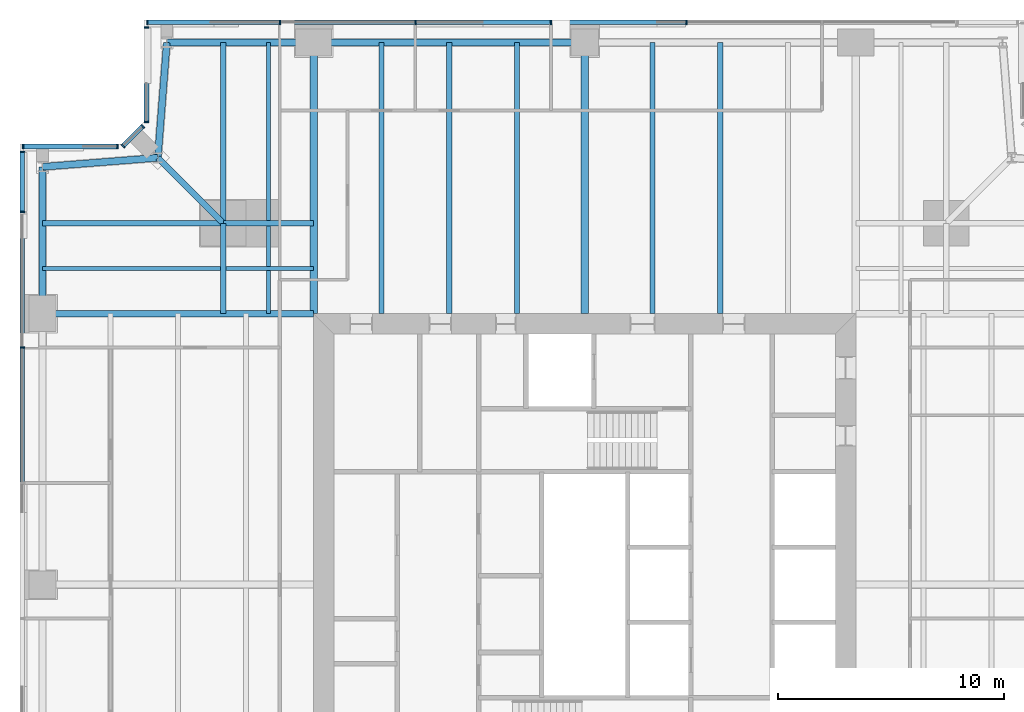
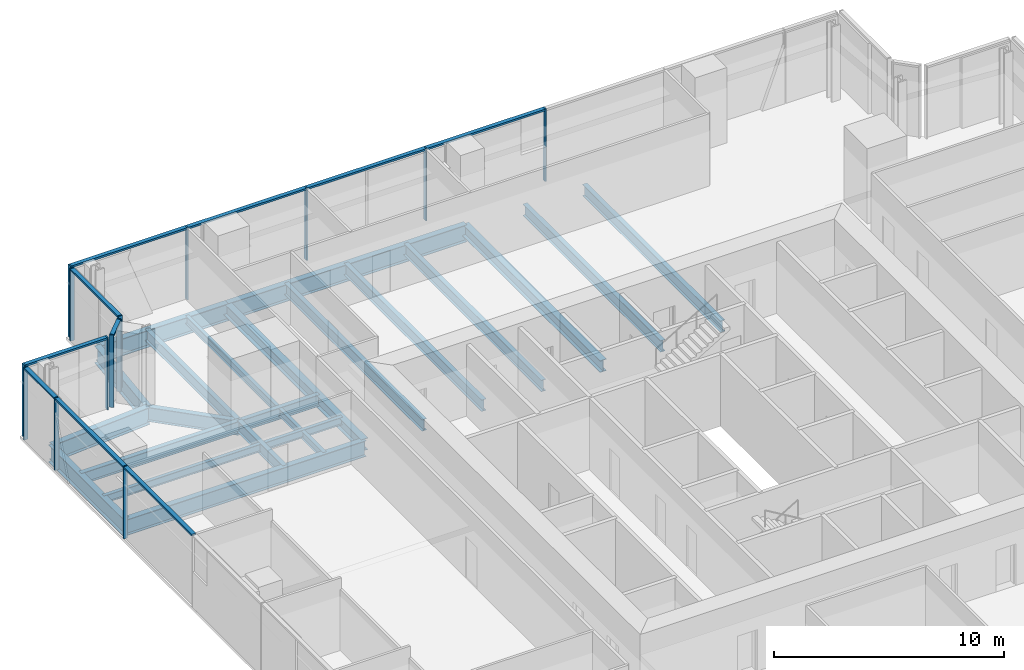
# One storey, part 6 of 16: 24 members, 23 beams, 5 elements without a shape of their own.
"""IFC4 building model written with IfcOpenShell, lengths in metres."""

from ifc_helpers import new_model, si_unit, direction, frame, origin, origin_2d, place, context, subcontext, project, spatial, rectangle, i_section, extrude, material, material_profile, profile_set, type_object, element, aggregate, save


model = new_model("IFC4")

# Units and contexts
model_context = context("Model", 3, precision=1e-05, world=origin(), true_north=direction((0.0, 1.0)))
body_context = subcontext(model_context, "Body", "Model", "MODEL_VIEW")
ifc_project = project(units=[si_unit("LENGTHUNIT", "METRE"), si_unit("AREAUNIT", "SQUARE_METRE"), si_unit("VOLUMEUNIT", "CUBIC_METRE"), si_unit("PLANEANGLEUNIT", "RADIAN"), si_unit("MASSUNIT", "GRAM", prefix="KILO")], contexts=[model_context])

# Site, building, storey
site_placement = place(None, origin())
site = spatial("IfcSite", under=ifc_project, at=site_placement, CompositionType="ELEMENT")
building_placement = place(site_placement, origin())
building = spatial("IfcBuilding", under=site, at=building_placement, Name="Fenwick Lantern Interchange", CompositionType="ELEMENT")
storey_placement = place(building_placement, frame((0.0, 0.0, 181.800048828125)))
storey = spatial("IfcBuildingStorey", under=building, at=storey_placement, Name="L42", CompositionType="ELEMENT", Elevation=181.800048828125)

# Beams
ifc_material_1 = material(Name="Steel ASTM A992 Grade 50", Category="steel")
ifc_material_profile_1 = material_profile(ifc_material_1, i_section(OverallWidth=0.3046875, OverallDepth=0.911865234375, WebThickness=0.015869140625, FlangeThickness=0.02392578125, at=origin_2d()), Name="W36X150")
ifc_profile_set_1 = profile_set([ifc_material_profile_1], Name="Steel ASTM A992 Grade 50")
beam_type_1 = type_object("IfcBeamType", Name="EDGE BEAM W36X150", PredefinedType="SPANDREL", material=ifc_profile_set_1)
beam_1_placement = place(storey_placement, frame((25.0, 49.0, -0.60595703125), z_axis=(-1.0, 0.0, 0.0), x_axis=(0.0, -1.0, 0.0)))
element("IfcBeam", 1, at=beam_1_placement, inside=storey, type_object=beam_type_1, Name="L42/FR/N/EB3", PredefinedType="SPANDREL", context=body_context, shape_type="SweptSolid", body=[
    extrude(i_section(OverallWidth=0.3046875, OverallDepth=0.911865234375, WebThickness=0.015869140625, FlangeThickness=0.02392578125, at=origin_2d()), origin(), (0.0, 0.0, 1.0), 12.0),
])
beam_2_placement = place(storey_placement, frame((13.0, 49.0, -0.60595703125), z_axis=(-1.0, 0.0, 0.0), x_axis=(0.0, -1.0, 0.0)))
element("IfcBeam", 2, at=beam_2_placement, inside=storey, type_object=beam_type_1, Name="L42/FR/N/EB4", PredefinedType="SPANDREL", context=body_context, shape_type="SweptSolid", body=[
    extrude(i_section(OverallWidth=0.3046875, OverallDepth=0.911865234375, WebThickness=0.015869140625, FlangeThickness=0.02392578125, at=origin_2d()), origin(), (0.0, 0.0, 1.0), 6.5),
])
for number, where, z_axis, x_axis, name in (
    (3, (6.5, 49.0, -0.60595703125), (-0.078170784639, -0.99693998236, 0.0), (0.99693998236, -0.078170784639, 0.0), "L42/FR/N/EBR1"),
    (4, (6.10009765625, 43.89990234375, -0.60595703125), (-0.99693998236, -0.078170784639, 0.0), (0.078170784639, -0.99693998236, 0.0), "L42/FR/N/EBR2"),
):
    element("IfcBeam", number, at=place(storey_placement, frame(where, z_axis=z_axis, x_axis=x_axis)), inside=storey, type_object=beam_type_1, Name=name, PredefinedType="SPANDREL", context=body_context, shape_type="SweptSolid", body=[
        extrude(i_section(OverallWidth=0.3046875, OverallDepth=0.911865234375, WebThickness=0.015869140625, FlangeThickness=0.02392578125, at=origin_2d()), origin(), (0.0, 0.0, 1.0), 5.11572265625),
    ])
beam_3_placement = place(storey_placement, frame((1.0, 43.5, -0.60595703125), z_axis=(0.0, -1.0, 0.0), x_axis=(1.0, 0.0, 0.0)))
element("IfcBeam", 5, at=beam_3_placement, inside=storey, type_object=beam_type_1, Name="L42/FR/W/EB1", PredefinedType="SPANDREL", context=body_context, shape_type="SweptSolid", body=[
    extrude(i_section(OverallWidth=0.3046875, OverallDepth=0.911865234375, WebThickness=0.015869140625, FlangeThickness=0.02392578125, at=origin_2d()), origin(), (0.0, 0.0, 1.0), 6.5),
])
ifc_material_profile_2 = material_profile(ifc_material_1, i_section(OverallWidth=0.22900390625, OverallDepth=0.612060546875, WebThickness=0.011962890625, FlangeThickness=0.01953125, at=origin_2d()), Name="W24X84")
ifc_profile_set_2 = profile_set([ifc_material_profile_2], Name="Steel ASTM A992 Grade 50")
beam_type_2 = type_object("IfcBeamType", Name="FLOOR BEAM W24X84", PredefinedType="BEAM", material=ifc_profile_set_2)
for number, where, z_axis, x_axis, name in (
    (6, (31.0, 49.0, -0.4560546875), (0.0, -1.0, 0.0), (1.0, 0.0, 0.0), "L42/FR/N/R03"),
    (7, (28.0, 49.0, -0.4560546875), (0.0, -1.0, 0.0), (1.0, 0.0, 0.0), "L42/FR/N/R04"),
    (8, (22.0, 49.0, -0.4560546875), (0.0, -1.0, 0.0), (1.0, 0.0, 0.0), "L42/FR/N/R06"),
    (9, (19.0, 49.0, -0.4560546875), (0.0, -1.0, 0.0), (1.0, 0.0, 0.0), "L42/FR/N/R07"),
    (10, (16.0, 49.0, -0.4560546875), (0.0, -1.0, 0.0), (1.0, 0.0, 0.0), "L42/FR/N/R08"),
):
    element("IfcBeam", number, at=place(storey_placement, frame(where, z_axis=z_axis, x_axis=x_axis)), inside=storey, type_object=beam_type_2, Name=name, PredefinedType="BEAM", context=body_context, shape_type="SweptSolid", body=[
        extrude(i_section(OverallWidth=0.22900390625, OverallDepth=0.612060546875, WebThickness=0.011962890625, FlangeThickness=0.01953125, at=origin_2d()), origin(), (0.0, 0.0, 1.0), 12.0),
    ])
ifc_material_profile_3 = material_profile(ifc_material_1, i_section(OverallWidth=0.177734375, OverallDepth=0.406494140625, WebThickness=0.0078125, FlangeThickness=0.012939453125, at=origin_2d()), Name="W16X40")
ifc_profile_set_3 = profile_set([ifc_material_profile_3], Name="Steel ASTM A992 Grade 50")
beam_type_3 = type_object("IfcBeamType", Name="INFILL BEAM W16X40", PredefinedType="JOIST", material=ifc_profile_set_3)
beam_4_placement = place(storey_placement, frame((1.0, 39.0, -0.353271484375), z_axis=(1.0, 0.0, 0.0), x_axis=(0.0, 1.0, 0.0)))
element("IfcBeam", 11, at=beam_4_placement, inside=storey, type_object=beam_type_3, Name="L42/FR/W/J1", PredefinedType="JOIST", context=body_context, shape_type="SweptSolid", body=[
    extrude(i_section(OverallWidth=0.177734375, OverallDepth=0.406494140625, WebThickness=0.0078125, FlangeThickness=0.012939453125, at=origin_2d()), origin(), (0.0, 0.0, 1.0), 7.885498046875),
])
beam_5_placement = place(storey_placement, frame((9.114501953125, 39.0, -0.353271484375), z_axis=(1.0, 0.0, 0.0), x_axis=(0.0, 1.0, 0.0)))
element("IfcBeam", 12, at=beam_5_placement, inside=storey, type_object=beam_type_3, Name="L42/FR/W/J2", PredefinedType="JOIST", context=body_context, shape_type="SweptSolid", body=[
    extrude(i_section(OverallWidth=0.177734375, OverallDepth=0.406494140625, WebThickness=0.0078125, FlangeThickness=0.012939453125, at=origin_2d()), origin(), (0.0, 0.0, 1.0), 3.885498046875),
])
beam_6_placement = place(storey_placement, frame((11.0, 49.0, -0.353271484375), z_axis=(0.0, -1.0, 0.0), x_axis=(1.0, 0.0, 0.0)))
element("IfcBeam", 13, at=beam_6_placement, inside=storey, type_object=beam_type_3, Name="L42/FR/W/J3", PredefinedType="JOIST", context=body_context, shape_type="SweptSolid", body=[
    extrude(i_section(OverallWidth=0.177734375, OverallDepth=0.406494140625, WebThickness=0.0078125, FlangeThickness=0.012939453125, at=origin_2d()), origin(), (0.0, 0.0, 1.0), 7.885498046875),
])
beam_7_placement = place(storey_placement, frame((11.0, 40.885498046875, -0.353271484375), z_axis=(0.0, -1.0, 0.0), x_axis=(1.0, 0.0, 0.0)))
element("IfcBeam", 14, at=beam_7_placement, inside=storey, type_object=beam_type_3, Name="L42/FR/W/J4", PredefinedType="JOIST", context=body_context, shape_type="SweptSolid", body=[
    extrude(i_section(OverallWidth=0.177734375, OverallDepth=0.406494140625, WebThickness=0.0078125, FlangeThickness=0.012939453125, at=origin_2d()), origin(), (0.0, 0.0, 1.0), 1.796630859375),
])
beam_8_placement = place(storey_placement, frame((11.0, 38.9111328125, -0.353271484375), z_axis=(0.0, -1.0, 0.0), x_axis=(1.0, 0.0, 0.0)))
element("IfcBeam", 15, at=beam_8_placement, inside=storey, type_object=beam_type_3, Name="L42/FR/W/J5", PredefinedType="JOIST", context=body_context, shape_type="SweptSolid", body=[
    extrude(i_section(OverallWidth=0.177734375, OverallDepth=0.406494140625, WebThickness=0.0078125, FlangeThickness=0.012939453125, at=origin_2d()), origin(), (0.0, 0.0, 1.0), 1.9111328125),
])
ifc_material_profile_4 = material_profile(ifc_material_1, i_section(OverallWidth=0.22900390625, OverallDepth=0.612060546875, WebThickness=0.011962890625, FlangeThickness=0.01953125, at=origin_2d()), Name="W24X84")
ifc_profile_set_4 = profile_set([ifc_material_profile_4], Name="Steel ASTM A992 Grade 50")
beam_type_4 = type_object("IfcBeamType", Name="MEGA COLUMN BEAM W24X84", PredefinedType="BEAM", material=ifc_profile_set_4)
for number, where, z_axis, x_axis, name in (
    (16, (9.0, 41.0, -0.4560546875), (-1.0, 0.0, 0.0), (0.0, -1.0, 0.0), "L42/FR/W/MB1"),
    (17, (9.0, 41.0, -0.4560546875), (0.0, 1.0, 0.0), (-1.0, 0.0, 0.0), "L42/FR/W/MB2"),
):
    element("IfcBeam", number, at=place(storey_placement, frame(where, z_axis=z_axis, x_axis=x_axis)), inside=storey, type_object=beam_type_4, Name=name, PredefinedType="BEAM", context=body_context, shape_type="SweptSolid", body=[
        extrude(i_section(OverallWidth=0.22900390625, OverallDepth=0.612060546875, WebThickness=0.011962890625, FlangeThickness=0.01953125, at=origin_2d()), origin(), (0.0, 0.0, 1.0), 8.0),
    ])
for number, where, z_axis, x_axis, name in (
    (18, (9.0, 41.0, -0.4560546875), (0.0, -1.0, 0.0), (1.0, 0.0, 0.0), "L42/FR/W/MB3"),
    (19, (9.0, 41.0, -0.4560546875), (1.0, 0.0, 0.0), (0.0, 1.0, 0.0), "L42/FR/W/MB4"),
):
    element("IfcBeam", number, at=place(storey_placement, frame(where, z_axis=z_axis, x_axis=x_axis)), inside=storey, type_object=beam_type_4, Name=name, PredefinedType="BEAM", context=body_context, shape_type="SweptSolid", body=[
        extrude(i_section(OverallWidth=0.22900390625, OverallDepth=0.612060546875, WebThickness=0.011962890625, FlangeThickness=0.01953125, at=origin_2d()), origin(), (0.0, 0.0, 1.0), 4.0),
    ])
ifc_material_profile_5 = material_profile(ifc_material_1, i_section(OverallWidth=0.32763671875, OverallDepth=0.622314453125, WebThickness=0.015380859375, FlangeThickness=0.0244140625, at=origin_2d()), Name="W24X131")
ifc_profile_set_5 = profile_set([ifc_material_profile_5], Name="Steel ASTM A992 Grade 50")
beam_type_5 = type_object("IfcBeamType", Name="MOMENT-CONNECTED GIRDER W24X131", PredefinedType="BEAM", material=ifc_profile_set_5)
for number, where, z_axis, x_axis, name in (
    (20, (25.0, 49.0, -0.461181640625), (0.0, -1.0, 0.0), (1.0, 0.0, 0.0), "L42/FR/N/R05"),
    (21, (13.0, 49.0, -0.461181640625), (0.0, -1.0, 0.0), (1.0, 0.0, 0.0), "L42/FR/N/R09"),
):
    element("IfcBeam", number, at=place(storey_placement, frame(where, z_axis=z_axis, x_axis=x_axis)), inside=storey, type_object=beam_type_5, Name=name, PredefinedType="BEAM", context=body_context, shape_type="SweptSolid", body=[
        extrude(i_section(OverallWidth=0.32763671875, OverallDepth=0.622314453125, WebThickness=0.015380859375, FlangeThickness=0.0244140625, at=origin_2d()), origin(), (0.0, 0.0, 1.0), 12.0),
    ])
ifc_material_profile_6 = material_profile(ifc_material_1, i_section(OverallWidth=0.2919921875, OverallDepth=0.845703125, WebThickness=0.015380859375, FlangeThickness=0.0244140625, at=origin_2d()), Name="W33X141")
ifc_profile_set_6 = profile_set([ifc_material_profile_6], Name="Steel ASTM A992 Grade 50")
beam_type_6 = type_object("IfcBeamType", Name="MOMENT-CONNECTED GIRDER W33X141", PredefinedType="BEAM", material=ifc_profile_set_6)
beam_9_placement = place(storey_placement, frame((1.0, 37.0, -0.572998046875), z_axis=(1.0, 0.0, 0.0), x_axis=(0.0, 1.0, 0.0)))
element("IfcBeam", 22, at=beam_9_placement, inside=storey, type_object=beam_type_6, Name="L42/FR/W/R01", PredefinedType="BEAM", context=body_context, shape_type="SweptSolid", body=[
    extrude(i_section(OverallWidth=0.2919921875, OverallDepth=0.845703125, WebThickness=0.015380859375, FlangeThickness=0.0244140625, at=origin_2d()), origin(), (0.0, 0.0, 1.0), 12.0),
])
ifc_material_profile_7 = material_profile(ifc_material_1, i_section(OverallWidth=0.2666015625, OverallDepth=0.7568359375, WebThickness=0.013916015625, FlangeThickness=0.019287109375, at=origin_2d()), Name="W30X108")
ifc_profile_set_7 = profile_set([ifc_material_profile_7], Name="Steel ASTM A992 Grade 50")
beam_type_7 = type_object("IfcBeamType", Name="NOTCH BEAM W30X108", PredefinedType="BEAM", material=ifc_profile_set_7)
beam_10_placement = place(storey_placement, frame((9.0, 41.0, -0.528564453125), z_axis=(-0.707106781187, 0.707106781187, 0.0), x_axis=(-0.707106781187, -0.707106781187, 0.0)))
element("IfcBeam", 23, at=beam_10_placement, inside=storey, type_object=beam_type_7, Name="L42/FR/W/TG", PredefinedType="BEAM", context=body_context, shape_type="SweptSolid", body=[
    extrude(i_section(OverallWidth=0.2666015625, OverallDepth=0.7568359375, WebThickness=0.013916015625, FlangeThickness=0.019287109375, at=origin_2d()), origin(), (0.0, 0.0, 1.0), 4.10107421875),
])

# Curtain wall, members
ifc_material_2 = material(Name="Aluminium curtain wall frame", Category="aluminium")
curtain_wall_type = type_object("IfcCurtainWallType", Name="OFFICE CURTAIN WALL", PredefinedType="USERDEFINED", material=ifc_material_2)
curtain_wall_1_placement = place(storey_placement, origin())
curtain_wall_1 = element("IfcCurtainWall", 24, at=curtain_wall_1_placement, inside=storey, type_object=curtain_wall_type, Name="Office curtain wall 09", ObjectType="OFFICE CURTAIN WALL", PredefinedType="USERDEFINED")
ifc_material_3 = material(Name="Aluminium extrusion", Category="aluminium")
ifc_material_profile_8 = material_profile(ifc_material_3, rectangle(XDim=0.199951171875, YDim=0.06494140625, at=origin_2d()), Name="OFFICE CURTAIN WALL MULLION 65 X 200")
ifc_profile_set_8 = profile_set([ifc_material_profile_8], Name="Aluminium extrusion")
member_type_1 = type_object("IfcMemberType", Name="OFFICE CURTAIN WALL MULLION 65 X 200", PredefinedType="MULLION", material=ifc_profile_set_8)
member_1_placement = place(storey_placement, frame((29.5, 49.89990234375, 0.0), z_axis=(0.0, 0.0, 1.0), x_axis=(0.0, -1.0, 0.0)))
member_1 = element("IfcMember", 25, at=member_1_placement, type_object=member_type_1, Name="L42/CW/09/M03", PredefinedType="MULLION", context=body_context, shape_type="SweptSolid", body=[
    extrude(rectangle(XDim=0.199951171875, YDim=0.06494140625, at=origin_2d()), origin(), (0.0, 0.0, 1.0), 3.849853515625),
])
member_2_placement = place(storey_placement, frame((23.5, 49.89990234375, 0.0), z_axis=(0.0, 0.0, 1.0), x_axis=(0.0, -1.0, 0.0)))
member_2 = element("IfcMember", 26, at=member_2_placement, type_object=member_type_1, Name="L42/CW/09/M04", PredefinedType="MULLION", context=body_context, shape_type="SweptSolid", body=[
    extrude(rectangle(XDim=0.199951171875, YDim=0.06494140625, at=origin_2d()), origin(), (0.0, 0.0, 1.0), 3.849853515625),
])
member_3_placement = place(storey_placement, frame((17.5, 49.89990234375, 0.0), z_axis=(0.0, 0.0, 1.0), x_axis=(0.0, -1.0, 0.0)))
member_3 = element("IfcMember", 27, at=member_3_placement, type_object=member_type_1, Name="L42/CW/09/M05", PredefinedType="MULLION", context=body_context, shape_type="SweptSolid", body=[
    extrude(rectangle(XDim=0.199951171875, YDim=0.06494140625, at=origin_2d()), origin(), (0.0, 0.0, 1.0), 3.849853515625),
])
member_4_placement = place(storey_placement, frame((11.5, 49.89990234375, 0.0), z_axis=(0.0, 0.0, 1.0), x_axis=(0.0, -1.0, 0.0)))
member_4 = element("IfcMember", 28, at=member_4_placement, type_object=member_type_1, Name="L42/CW/09/M06", PredefinedType="MULLION", context=body_context, shape_type="SweptSolid", body=[
    extrude(rectangle(XDim=0.199951171875, YDim=0.06494140625, at=origin_2d()), origin(), (0.0, 0.0, 1.0), 3.849853515625),
])
member_5_placement = place(storey_placement, frame((5.632568359375, 49.89990234375, 0.0), z_axis=(0.0, 0.0, 1.0), x_axis=(0.0, -1.0, 0.0)))
member_5 = element("IfcMember", 29, at=member_5_placement, type_object=member_type_1, Name="L42/CW/09/M07", PredefinedType="MULLION", context=body_context, shape_type="SweptSolid", body=[
    extrude(rectangle(XDim=0.199951171875, YDim=0.06494140625, at=origin_2d()), origin(), (0.0, 0.0, 1.0), 3.849853515625),
])

curtain_wall_2_placement = place(storey_placement, origin())
curtain_wall_2 = element("IfcCurtainWall", 30, at=curtain_wall_2_placement, inside=storey, type_object=curtain_wall_type, Name="Office curtain wall 10", ObjectType="OFFICE CURTAIN WALL", PredefinedType="USERDEFINED")
member_6_placement = place(storey_placement, frame((5.60009765625, 49.66748046875, 0.0), z_axis=(0.0, 0.0, 1.0), x_axis=(1.0, 0.0, 0.0)))
member_6 = element("IfcMember", 31, at=member_6_placement, type_object=member_type_1, Name="L42/CW/10/M00", PredefinedType="MULLION", context=body_context, shape_type="SweptSolid", body=[
    extrude(rectangle(XDim=0.199951171875, YDim=0.06494140625, at=origin_2d()), origin(), (0.0, 0.0, 1.0), 3.849853515625),
])
member_7_placement = place(storey_placement, frame((5.60009765625, 45.490966796875, 0.0), z_axis=(0.0, 0.0, 1.0), x_axis=(1.0, 0.0, 0.0)))
member_7 = element("IfcMember", 32, at=member_7_placement, type_object=member_type_1, Name="L42/CW/10/M01", PredefinedType="MULLION", context=body_context, shape_type="SweptSolid", body=[
    extrude(rectangle(XDim=0.199951171875, YDim=0.06494140625, at=origin_2d()), origin(), (0.0, 0.0, 1.0), 3.849853515625),
])

curtain_wall_3_placement = place(storey_placement, origin())
curtain_wall_3 = element("IfcCurtainWall", 33, at=curtain_wall_3_placement, inside=storey, type_object=curtain_wall_type, Name="Office curtain wall 11", ObjectType="OFFICE CURTAIN WALL", PredefinedType="USERDEFINED")
member_8_placement = place(storey_placement, frame((5.435546875, 45.294189453125, 0.0), z_axis=(0.0, 0.0, 1.0), x_axis=(0.707106781187, -0.707106781187, 0.0)))
member_8 = element("IfcMember", 34, at=member_8_placement, type_object=member_type_1, Name="L42/CW/11/M00", PredefinedType="MULLION", context=body_context, shape_type="SweptSolid", body=[
    extrude(rectangle(XDim=0.199951171875, YDim=0.06494140625, at=origin_2d()), origin(), (0.0, 0.0, 1.0), 3.849853515625),
])
member_9_placement = place(storey_placement, frame((4.564453125, 44.423095703125, 0.0), z_axis=(0.0, 0.0, 1.0), x_axis=(0.707106781187, -0.707106781187, 0.0)))
member_9 = element("IfcMember", 35, at=member_9_placement, type_object=member_type_1, Name="L42/CW/11/M01", PredefinedType="MULLION", context=body_context, shape_type="SweptSolid", body=[
    extrude(rectangle(XDim=0.199951171875, YDim=0.06494140625, at=origin_2d()), origin(), (0.0, 0.0, 1.0), 3.849853515625),
])

curtain_wall_4_placement = place(storey_placement, origin())
curtain_wall_4 = element("IfcCurtainWall", 36, at=curtain_wall_4_placement, inside=storey, type_object=curtain_wall_type, Name="Office curtain wall 12", ObjectType="OFFICE CURTAIN WALL", PredefinedType="USERDEFINED")
member_10_placement = place(storey_placement, frame((4.308837890625, 44.39990234375, 0.0), z_axis=(0.0, 0.0, 1.0), x_axis=(0.0, -1.0, 0.0)))
member_10 = element("IfcMember", 37, at=member_10_placement, type_object=member_type_1, Name="L42/CW/12/M00", PredefinedType="MULLION", context=body_context, shape_type="SweptSolid", body=[
    extrude(rectangle(XDim=0.199951171875, YDim=0.06494140625, at=origin_2d()), origin(), (0.0, 0.0, 1.0), 3.849853515625),
])
member_11_placement = place(storey_placement, frame((0.132568359375, 44.39990234375, 0.0), z_axis=(0.0, 0.0, 1.0), x_axis=(0.0, -1.0, 0.0)))
member_11 = element("IfcMember", 38, at=member_11_placement, type_object=member_type_1, Name="L42/CW/12/M01", PredefinedType="MULLION", context=body_context, shape_type="SweptSolid", body=[
    extrude(rectangle(XDim=0.199951171875, YDim=0.06494140625, at=origin_2d()), origin(), (0.0, 0.0, 1.0), 3.849853515625),
])

curtain_wall_5_placement = place(storey_placement, origin())
curtain_wall_5 = element("IfcCurtainWall", 39, at=curtain_wall_5_placement, inside=storey, type_object=curtain_wall_type, Name="Office curtain wall 13", ObjectType="OFFICE CURTAIN WALL", PredefinedType="USERDEFINED")
member_12_placement = place(storey_placement, frame((0.10009765625, 44.16748046875, 0.0), z_axis=(0.0, 0.0, 1.0), x_axis=(1.0, 0.0, 0.0)))
member_12 = element("IfcMember", 40, at=member_12_placement, type_object=member_type_1, Name="L42/CW/13/M00", PredefinedType="MULLION", context=body_context, shape_type="SweptSolid", body=[
    extrude(rectangle(XDim=0.199951171875, YDim=0.06494140625, at=origin_2d()), origin(), (0.0, 0.0, 1.0), 3.849853515625),
])
member_13_placement = place(storey_placement, frame((0.10009765625, 41.5, 0.0), z_axis=(0.0, 0.0, 1.0), x_axis=(1.0, 0.0, 0.0)))
member_13 = element("IfcMember", 41, at=member_13_placement, type_object=member_type_1, Name="L42/CW/13/M01", PredefinedType="MULLION", context=body_context, shape_type="SweptSolid", body=[
    extrude(rectangle(XDim=0.199951171875, YDim=0.06494140625, at=origin_2d()), origin(), (0.0, 0.0, 1.0), 3.849853515625),
])
member_14_placement = place(storey_placement, frame((0.10009765625, 35.5, 0.0), z_axis=(0.0, 0.0, 1.0), x_axis=(1.0, 0.0, 0.0)))
member_14 = element("IfcMember", 42, at=member_14_placement, type_object=member_type_1, Name="L42/CW/13/M02", PredefinedType="MULLION", context=body_context, shape_type="SweptSolid", body=[
    extrude(rectangle(XDim=0.199951171875, YDim=0.06494140625, at=origin_2d()), origin(), (0.0, 0.0, 1.0), 3.849853515625),
])

# Member
ifc_material_profile_9 = material_profile(ifc_material_3, rectangle(XDim=0.199951171875, YDim=0.10009765625, at=origin_2d()), Name="OFFICE CURTAIN WALL TRANSOM 100 X 200")
ifc_profile_set_9 = profile_set([ifc_material_profile_9], Name="Aluminium extrusion")
member_type_2 = type_object("IfcMemberType", Name="OFFICE CURTAIN WALL TRANSOM 100 X 200", PredefinedType="MULLION", material=ifc_profile_set_9)
member_15_placement = place(storey_placement, frame((29.467529296875, 49.89990234375, 3.800048828125), z_axis=(-1.0, 0.0, 0.0), x_axis=(0.0, -1.0, 0.0)))
member_15 = element("IfcMember", 43, at=member_15_placement, type_object=member_type_2, Name="L42/CW/09/T03", PredefinedType="MULLION", context=body_context, shape_type="SweptSolid", body=[
    extrude(rectangle(XDim=0.199951171875, YDim=0.10009765625, at=origin_2d()), origin(), (0.0, 0.0, 1.0), 5.93505859375),
])

member_16_placement = place(storey_placement, frame((23.467529296875, 49.89990234375, 3.800048828125), z_axis=(-1.0, 0.0, 0.0), x_axis=(0.0, -1.0, 0.0)))
member_16 = element("IfcMember", 44, at=member_16_placement, type_object=member_type_2, Name="L42/CW/09/T04", PredefinedType="MULLION", context=body_context, shape_type="SweptSolid", body=[
    extrude(rectangle(XDim=0.199951171875, YDim=0.10009765625, at=origin_2d()), origin(), (0.0, 0.0, 1.0), 5.93505859375),
])

member_17_placement = place(storey_placement, frame((17.467529296875, 49.89990234375, 3.800048828125), z_axis=(-1.0, 0.0, 0.0), x_axis=(0.0, -1.0, 0.0)))
member_17 = element("IfcMember", 45, at=member_17_placement, type_object=member_type_2, Name="L42/CW/09/T05", PredefinedType="MULLION", context=body_context, shape_type="SweptSolid", body=[
    extrude(rectangle(XDim=0.199951171875, YDim=0.10009765625, at=origin_2d()), origin(), (0.0, 0.0, 1.0), 5.93505859375),
])

member_18_placement = place(storey_placement, frame((11.467529296875, 49.89990234375, 3.800048828125), z_axis=(-1.0, 0.0, 0.0), x_axis=(0.0, -1.0, 0.0)))
member_18 = element("IfcMember", 46, at=member_18_placement, type_object=member_type_2, Name="L42/CW/09/T06", PredefinedType="MULLION", context=body_context, shape_type="SweptSolid", body=[
    extrude(rectangle(XDim=0.199951171875, YDim=0.10009765625, at=origin_2d()), origin(), (0.0, 0.0, 1.0), 5.802490234375),
])

aggregate(curtain_wall_1, [member_1, member_2, member_3, member_4, member_5, member_15, member_16, member_17, member_18])

member_19_placement = place(storey_placement, frame((5.60009765625, 49.635009765625, 3.800048828125), z_axis=(0.0, -1.0, 0.0), x_axis=(1.0, 0.0, 0.0)))
member_19 = element("IfcMember", 47, at=member_19_placement, type_object=member_type_2, Name="L42/CW/10/T00", PredefinedType="MULLION", context=body_context, shape_type="SweptSolid", body=[
    extrude(rectangle(XDim=0.199951171875, YDim=0.10009765625, at=origin_2d()), origin(), (0.0, 0.0, 1.0), 4.111328125),
])

aggregate(curtain_wall_2, [member_6, member_7, member_19])

member_20_placement = place(storey_placement, frame((5.41259765625, 45.271240234375, 3.800048828125), z_axis=(-0.707106781187, -0.707106781187, 0.0), x_axis=(0.707106781187, -0.707106781187, 0.0)))
member_20 = element("IfcMember", 48, at=member_20_placement, type_object=member_type_2, Name="L42/CW/11/T00", PredefinedType="MULLION", context=body_context, shape_type="SweptSolid", body=[
    extrude(rectangle(XDim=0.199951171875, YDim=0.10009765625, at=origin_2d()), origin(), (0.0, 0.0, 1.0), 1.1669921875),
])

aggregate(curtain_wall_3, [member_8, member_9, member_20])

member_21_placement = place(storey_placement, frame((4.2763671875, 44.39990234375, 3.800048828125), z_axis=(-1.0, 0.0, 0.0), x_axis=(0.0, -1.0, 0.0)))
member_21 = element("IfcMember", 49, at=member_21_placement, type_object=member_type_2, Name="L42/CW/12/T00", PredefinedType="MULLION", context=body_context, shape_type="SweptSolid", body=[
    extrude(rectangle(XDim=0.199951171875, YDim=0.10009765625, at=origin_2d()), origin(), (0.0, 0.0, 1.0), 4.111328125),
])

aggregate(curtain_wall_4, [member_10, member_11, member_21])

member_22_placement = place(storey_placement, frame((0.10009765625, 44.135009765625, 3.800048828125), z_axis=(0.0, -1.0, 0.0), x_axis=(1.0, 0.0, 0.0)))
member_22 = element("IfcMember", 50, at=member_22_placement, type_object=member_type_2, Name="L42/CW/13/T00", PredefinedType="MULLION", context=body_context, shape_type="SweptSolid", body=[
    extrude(rectangle(XDim=0.199951171875, YDim=0.10009765625, at=origin_2d()), origin(), (0.0, 0.0, 1.0), 2.6025390625),
])

member_23_placement = place(storey_placement, frame((0.10009765625, 41.467529296875, 3.800048828125), z_axis=(0.0, -1.0, 0.0), x_axis=(1.0, 0.0, 0.0)))
member_23 = element("IfcMember", 51, at=member_23_placement, type_object=member_type_2, Name="L42/CW/13/T01", PredefinedType="MULLION", context=body_context, shape_type="SweptSolid", body=[
    extrude(rectangle(XDim=0.199951171875, YDim=0.10009765625, at=origin_2d()), origin(), (0.0, 0.0, 1.0), 5.93505859375),
])

member_24_placement = place(storey_placement, frame((0.10009765625, 35.467529296875, 3.800048828125), z_axis=(0.0, -1.0, 0.0), x_axis=(1.0, 0.0, 0.0)))
member_24 = element("IfcMember", 52, at=member_24_placement, type_object=member_type_2, Name="L42/CW/13/T02", PredefinedType="MULLION", context=body_context, shape_type="SweptSolid", body=[
    extrude(rectangle(XDim=0.199951171875, YDim=0.10009765625, at=origin_2d()), origin(), (0.0, 0.0, 1.0), 5.93505859375),
])

aggregate(curtain_wall_5, [member_12, member_13, member_14, member_22, member_23, member_24])

save(model, "model.ifc")
